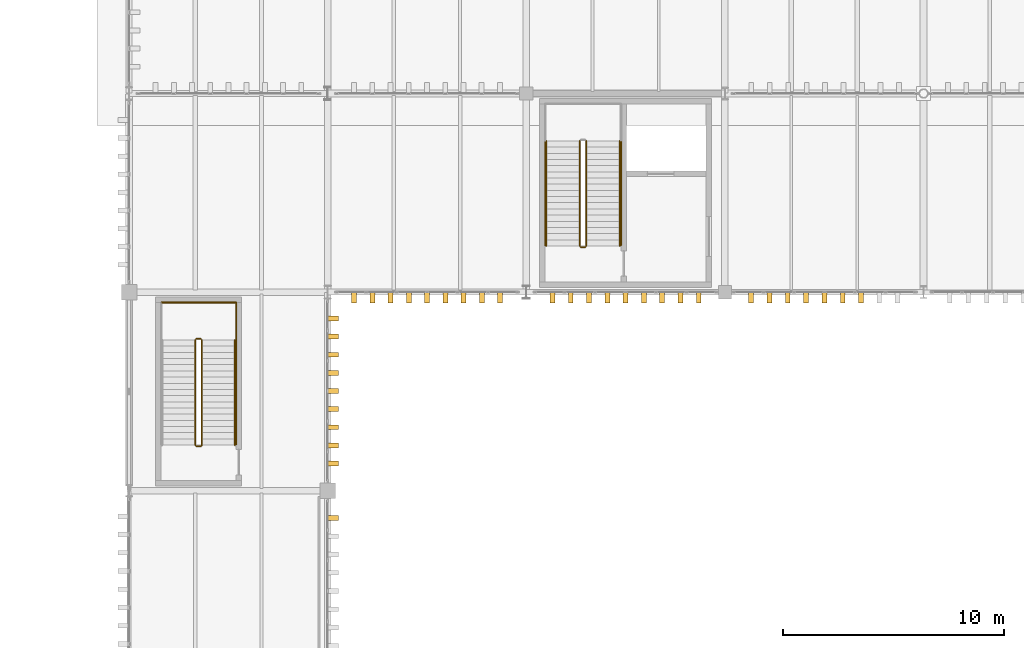
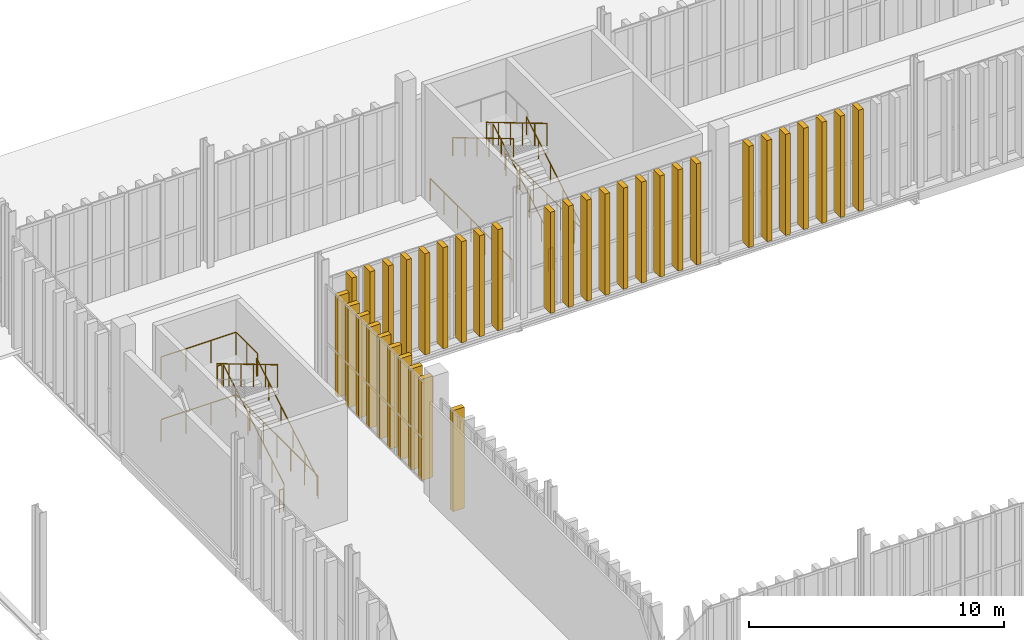
# One storey, part 229 of 237: 35 shading devices, 16 railings.
"""IFC4 building model written with IfcOpenShell, lengths in metres."""

from ifc_helpers import new_model, si_unit, direction, frame, origin, origin_2d, place, context, subcontext, project, spatial, rectangle, circle, extrude, material, type_object, element, save


model = new_model("IFC4")

# Units and contexts
model_context = context("Model", 3, precision=1e-05, world=origin(), true_north=direction((0.0, 1.0)))
body_context = subcontext(model_context, "Body", "Model", "MODEL_VIEW")
ifc_project = project(units=[si_unit("LENGTHUNIT", "METRE"), si_unit("AREAUNIT", "SQUARE_METRE"), si_unit("VOLUMEUNIT", "CUBIC_METRE"), si_unit("PLANEANGLEUNIT", "RADIAN"), si_unit("MASSUNIT", "GRAM", prefix="KILO")], contexts=[model_context])

# Site, building, storey
site_placement = place(None, origin())
site = spatial("IfcSite", under=ifc_project, at=site_placement, CompositionType="ELEMENT")
building_placement = place(site_placement, origin())
building = spatial("IfcBuilding", under=site, at=building_placement, Name="Barlavento Convention Centre", CompositionType="ELEMENT")
storey_placement = place(building_placement, frame((0.0, 0.0, 12.0)))
storey = spatial("IfcBuildingStorey", under=building, at=storey_placement, Name="L02", CompositionType="ELEMENT", Elevation=12.0)

# Railings
ifc_material_1 = material(Name="Stainless steel and laminated glass balustrade", Category="steel")
railing_type_1 = type_object("IfcRailingType", Name="ARC-RAL-BAL-1100", PredefinedType="BALUSTRADE", material=ifc_material_1)
railing_1_placement = place(storey_placement, frame((146.719970703125, 92.090087890625, 0.166748046875)))
element("IfcRailing", 1, at=railing_1_placement, inside=storey, type_object=railing_type_1, Name="L02 ST09 stair guard 1", PredefinedType="BALUSTRADE", context=body_context, shape_type="SweptSolid", body=[
    extrude(circle(Radius=0.02392578125, at=origin_2d()), frame((0.0, 0.0, 1.076171875), z_axis=(0.0, 0.859299802514, 0.511472237174), x_axis=(-1.0, 0.0, 0.0)), (0.0, 0.0, 1.0), 5.539306640625),
    extrude(circle(Radius=0.02099609375, at=origin_2d()), origin(), (0.0, 0.0, 1.0), 1.052001953125),
    extrude(circle(Radius=0.02099609375, at=origin_2d()), frame((0.0, 0.951904296875, 0.566650390625)), (0.0, 0.0, 1.0), 1.052001953125),
    extrude(circle(Radius=0.02099609375, at=origin_2d()), frame((0.0, 1.904052734375, 1.13330078125)), (0.0, 0.0, 1.0), 1.052001953125),
    extrude(circle(Radius=0.02099609375, at=origin_2d()), frame((0.0, 2.85595703125, 1.699951171875)), (0.0, 0.0, 1.0), 1.052001953125),
    extrude(circle(Radius=0.02099609375, at=origin_2d()), frame((0.0, 3.80810546875, 2.2666015625)), (0.0, 0.0, 1.0), 1.052001953125),
    extrude(circle(Radius=0.02099609375, at=origin_2d()), frame((0.0, 4.760009765625, 2.833251953125)), (0.0, 0.0, 1.0), 1.052001953125),
])
railing_2_placement = place(storey_placement, frame((146.419921875, 96.85009765625, 3.166748046875)))
element("IfcRailing", 2, at=railing_2_placement, inside=storey, type_object=railing_type_1, Name="L02 ST09 stair guard 3", PredefinedType="BALUSTRADE", context=body_context, shape_type="SweptSolid", body=[
    extrude(circle(Radius=0.02392578125, at=origin_2d()), frame((0.0, 0.0, 1.076171875), z_axis=(0.0, -0.859299802514, 0.511472237174), x_axis=(1.0, 0.0, 0.0)), (0.0, 0.0, 1.0), 5.539306640625),
    extrude(circle(Radius=0.02099609375, at=origin_2d()), origin(), (0.0, 0.0, 1.0), 1.052001953125),
    extrude(circle(Radius=0.02099609375, at=origin_2d()), frame((0.0, -0.951904296875, 0.566650390625)), (0.0, 0.0, 1.0), 1.052001953125),
    extrude(circle(Radius=0.02099609375, at=origin_2d()), frame((0.0, -1.904052734375, 1.13330078125)), (0.0, 0.0, 1.0), 1.052001953125),
    extrude(circle(Radius=0.02099609375, at=origin_2d()), frame((0.0, -2.85595703125, 1.699951171875)), (0.0, 0.0, 1.0), 1.052001953125),
    extrude(circle(Radius=0.02099609375, at=origin_2d()), frame((0.0, -3.80810546875, 2.2666015625)), (0.0, 0.0, 1.0), 1.052001953125),
    extrude(circle(Radius=0.02099609375, at=origin_2d()), frame((0.0, -4.760009765625, 2.833251953125)), (0.0, 0.0, 1.0), 1.052001953125),
])
railing_3_placement = place(storey_placement, frame((146.669921875, 92.0400390625, 0.0)))
element("IfcRailing", 3, at=railing_3_placement, inside=storey, type_object=railing_type_1, Name="L02 ST09 stair guard 4", PredefinedType="BALUSTRADE", context=body_context, shape_type="SweptSolid", body=[
    extrude(circle(Radius=0.02392578125, at=origin_2d()), frame((0.0, 0.0, 1.076171875), z_axis=(-1.0, 0.0, 0.0), x_axis=(0.0, -1.0, 0.0)), (0.0, 0.0, 1.0), 0.199951171875),
    extrude(circle(Radius=0.02099609375, at=origin_2d()), origin(), (0.0, 0.0, 1.0), 1.052001953125),
    extrude(circle(Radius=0.02099609375, at=origin_2d()), frame((-0.199951171875, 0.0, 0.0)), (0.0, 0.0, 1.0), 1.052001953125),
])
railing_4_placement = place(storey_placement, frame((148.2900390625, 92.114990234375, 0.0)))
element("IfcRailing", 4, at=railing_4_placement, inside=storey, type_object=railing_type_1, Name="L02 stairwell perimeter guard GR01", PredefinedType="BALUSTRADE", context=body_context, shape_type="SweptSolid", body=[
    extrude(circle(Radius=0.02392578125, at=origin_2d()), frame((0.0, 0.0, 1.076171875), z_axis=(0.0, 1.0, 0.0), x_axis=(-1.0, 0.0, 0.0)), (0.0, 0.0, 1.0), 6.4150390625),
    extrude(circle(Radius=0.02099609375, at=origin_2d()), origin(), (0.0, 0.0, 1.0), 1.052001953125),
    extrude(circle(Radius=0.02099609375, at=origin_2d()), frame((0.0, 1.069091796875, 0.0)), (0.0, 0.0, 1.0), 1.052001953125),
    extrude(circle(Radius=0.02099609375, at=origin_2d()), frame((0.0, 2.138427734375, 0.0)), (0.0, 0.0, 1.0), 1.052001953125),
    extrude(circle(Radius=0.02099609375, at=origin_2d()), frame((0.0, 3.20751953125, 0.0)), (0.0, 0.0, 1.0), 1.052001953125),
    extrude(circle(Radius=0.02099609375, at=origin_2d()), frame((0.0, 4.276611328125, 0.0)), (0.0, 0.0, 1.0), 1.052001953125),
    extrude(circle(Radius=0.02099609375, at=origin_2d()), frame((0.0, 5.345947265625, 0.0)), (0.0, 0.0, 1.0), 1.052001953125),
    extrude(circle(Radius=0.02099609375, at=origin_2d()), frame((0.0, 6.4150390625, 0.0)), (0.0, 0.0, 1.0), 1.052001953125),
])
railing_5_placement = place(storey_placement, frame((144.85009765625, 98.530029296875, 0.0)))
element("IfcRailing", 5, at=railing_5_placement, inside=storey, type_object=railing_type_1, Name="L02 stairwell perimeter guard GR01", PredefinedType="BALUSTRADE", context=body_context, shape_type="SweptSolid", body=[
    extrude(circle(Radius=0.02392578125, at=origin_2d()), frame((0.0, 0.0, 1.076171875), z_axis=(0.0, -1.0, 0.0), x_axis=(1.0, 0.0, 0.0)), (0.0, 0.0, 1.0), 6.4150390625),
    extrude(circle(Radius=0.02099609375, at=origin_2d()), origin(), (0.0, 0.0, 1.0), 1.052001953125),
    extrude(circle(Radius=0.02099609375, at=origin_2d()), frame((0.0, -1.069091796875, 0.0)), (0.0, 0.0, 1.0), 1.052001953125),
    extrude(circle(Radius=0.02099609375, at=origin_2d()), frame((0.0, -2.138427734375, 0.0)), (0.0, 0.0, 1.0), 1.052001953125),
    extrude(circle(Radius=0.02099609375, at=origin_2d()), frame((0.0, -3.20751953125, 0.0)), (0.0, 0.0, 1.0), 1.052001953125),
    extrude(circle(Radius=0.02099609375, at=origin_2d()), frame((0.0, -4.276611328125, 0.0)), (0.0, 0.0, 1.0), 1.052001953125),
    extrude(circle(Radius=0.02099609375, at=origin_2d()), frame((0.0, -5.345947265625, 0.0)), (0.0, 0.0, 1.0), 1.052001953125),
    extrude(circle(Radius=0.02099609375, at=origin_2d()), frame((0.0, -6.4150390625, 0.0)), (0.0, 0.0, 1.0), 1.052001953125),
])
railing_6_placement = place(storey_placement, frame((129.300048828125, 83.070068359375, 0.166748046875)))
element("IfcRailing", 6, at=railing_6_placement, inside=storey, type_object=railing_type_1, Name="L02 ST12 stair guard 1", PredefinedType="BALUSTRADE", context=body_context, shape_type="SweptSolid", body=[
    extrude(circle(Radius=0.02392578125, at=origin_2d()), frame((0.0, 0.0, 1.076171875), z_axis=(0.0, 0.859299802514, 0.511472237174), x_axis=(-1.0, 0.0, 0.0)), (0.0, 0.0, 1.0), 5.539306640625),
    extrude(circle(Radius=0.02099609375, at=origin_2d()), origin(), (0.0, 0.0, 1.0), 1.052001953125),
    extrude(circle(Radius=0.02099609375, at=origin_2d()), frame((0.0, 0.951904296875, 0.566650390625)), (0.0, 0.0, 1.0), 1.052001953125),
    extrude(circle(Radius=0.02099609375, at=origin_2d()), frame((0.0, 1.904052734375, 1.13330078125)), (0.0, 0.0, 1.0), 1.052001953125),
    extrude(circle(Radius=0.02099609375, at=origin_2d()), frame((0.0, 2.85595703125, 1.699951171875)), (0.0, 0.0, 1.0), 1.052001953125),
    extrude(circle(Radius=0.02099609375, at=origin_2d()), frame((0.0, 3.80810546875, 2.2666015625)), (0.0, 0.0, 1.0), 1.052001953125),
    extrude(circle(Radius=0.02099609375, at=origin_2d()), frame((0.0, 4.760009765625, 2.833251953125)), (0.0, 0.0, 1.0), 1.052001953125),
])
railing_7_placement = place(storey_placement, frame((129.25, 87.8798828125, 3.0)))
element("IfcRailing", 7, at=railing_7_placement, inside=storey, type_object=railing_type_1, Name="L02 ST12 stair guard 2", PredefinedType="BALUSTRADE", context=body_context, shape_type="SweptSolid", body=[
    extrude(circle(Radius=0.02392578125, at=origin_2d()), frame((0.0, 0.0, 1.076171875), z_axis=(-1.0, 0.0, 0.0), x_axis=(0.0, -1.0, 0.0)), (0.0, 0.0, 1.0), 0.199951171875),
    extrude(circle(Radius=0.02099609375, at=origin_2d()), origin(), (0.0, 0.0, 1.0), 1.052001953125),
    extrude(circle(Radius=0.02099609375, at=origin_2d()), frame((-0.199951171875, 0.0, 0.0)), (0.0, 0.0, 1.0), 1.052001953125),
])
railing_8_placement = place(storey_placement, frame((129.0, 87.830078125, 3.166748046875)))
element("IfcRailing", 8, at=railing_8_placement, inside=storey, type_object=railing_type_1, Name="L02 ST12 stair guard 3", PredefinedType="BALUSTRADE", context=body_context, shape_type="SweptSolid", body=[
    extrude(circle(Radius=0.02392578125, at=origin_2d()), frame((0.0, 0.0, 1.076171875), z_axis=(0.0, -0.859299802514, 0.511472237174), x_axis=(1.0, 0.0, 0.0)), (0.0, 0.0, 1.0), 5.539306640625),
    extrude(circle(Radius=0.02099609375, at=origin_2d()), origin(), (0.0, 0.0, 1.0), 1.052001953125),
    extrude(circle(Radius=0.02099609375, at=origin_2d()), frame((0.0, -0.951904296875, 0.566650390625)), (0.0, 0.0, 1.0), 1.052001953125),
    extrude(circle(Radius=0.02099609375, at=origin_2d()), frame((0.0, -1.904052734375, 1.13330078125)), (0.0, 0.0, 1.0), 1.052001953125),
    extrude(circle(Radius=0.02099609375, at=origin_2d()), frame((0.0, -2.85595703125, 1.699951171875)), (0.0, 0.0, 1.0), 1.052001953125),
    extrude(circle(Radius=0.02099609375, at=origin_2d()), frame((0.0, -3.80810546875, 2.2666015625)), (0.0, 0.0, 1.0), 1.052001953125),
    extrude(circle(Radius=0.02099609375, at=origin_2d()), frame((0.0, -4.760009765625, 2.833251953125)), (0.0, 0.0, 1.0), 1.052001953125),
])
railing_9_placement = place(storey_placement, frame((129.25, 83.02001953125, 0.0)))
element("IfcRailing", 9, at=railing_9_placement, inside=storey, type_object=railing_type_1, Name="L02 ST12 stair guard 4", PredefinedType="BALUSTRADE", context=body_context, shape_type="SweptSolid", body=[
    extrude(circle(Radius=0.02392578125, at=origin_2d()), frame((0.0, 0.0, 1.076171875), z_axis=(-1.0, 0.0, 0.0), x_axis=(0.0, -1.0, 0.0)), (0.0, 0.0, 1.0), 0.199951171875),
    extrude(circle(Radius=0.02099609375, at=origin_2d()), origin(), (0.0, 0.0, 1.0), 1.052001953125),
    extrude(circle(Radius=0.02099609375, at=origin_2d()), frame((-0.199951171875, 0.0, 0.0)), (0.0, 0.0, 1.0), 1.052001953125),
])
railing_10_placement = place(storey_placement, frame((130.85009765625, 87.830078125, 3.0)))
element("IfcRailing", 10, at=railing_10_placement, inside=storey, type_object=railing_type_1, Name="L02 landing guard GR01", PredefinedType="BALUSTRADE", context=body_context, shape_type="SweptSolid", body=[
    extrude(circle(Radius=0.02392578125, at=origin_2d()), frame((0.0, 0.0, 1.076171875), z_axis=(0.0, 1.0, 0.0), x_axis=(-1.0, 0.0, 0.0)), (0.0, 0.0, 1.0), 1.699951171875),
    extrude(circle(Radius=0.02099609375, at=origin_2d()), origin(), (0.0, 0.0, 1.0), 1.052001953125),
    extrude(circle(Radius=0.02099609375, at=origin_2d()), frame((0.0, 0.85009765625, 0.0)), (0.0, 0.0, 1.0), 1.052001953125),
    extrude(circle(Radius=0.02099609375, at=origin_2d()), frame((0.0, 1.699951171875, 0.0)), (0.0, 0.0, 1.0), 1.052001953125),
])
railing_11_placement = place(storey_placement, frame((130.85009765625, 89.530029296875, 3.0)))
element("IfcRailing", 11, at=railing_11_placement, inside=storey, type_object=railing_type_1, Name="L02 landing guard GR01", PredefinedType="BALUSTRADE", context=body_context, shape_type="SweptSolid", body=[
    extrude(circle(Radius=0.02392578125, at=origin_2d()), frame((0.0, 0.0, 1.076171875), z_axis=(-1.0, 0.0, 0.0), x_axis=(0.0, -1.0, 0.0)), (0.0, 0.0, 1.0), 3.400146484375),
    extrude(circle(Radius=0.02099609375, at=origin_2d()), origin(), (0.0, 0.0, 1.0), 1.052001953125),
    extrude(circle(Radius=0.02099609375, at=origin_2d()), frame((-1.13330078125, 0.0, 0.0)), (0.0, 0.0, 1.0), 1.052001953125),
    extrude(circle(Radius=0.02099609375, at=origin_2d()), frame((-2.266845703125, 0.0, 0.0)), (0.0, 0.0, 1.0), 1.052001953125),
    extrude(circle(Radius=0.02099609375, at=origin_2d()), frame((-3.400146484375, 0.0, 0.0)), (0.0, 0.0, 1.0), 1.052001953125),
])
railing_12_placement = place(storey_placement, frame((130.85009765625, 83.094970703125, 0.0)))
element("IfcRailing", 12, at=railing_12_placement, inside=storey, type_object=railing_type_1, Name="L02 stairwell perimeter guard GR01", PredefinedType="BALUSTRADE", context=body_context, shape_type="SweptSolid", body=[
    extrude(circle(Radius=0.02392578125, at=origin_2d()), frame((0.0, 0.0, 1.076171875), z_axis=(0.0, 1.0, 0.0), x_axis=(-1.0, 0.0, 0.0)), (0.0, 0.0, 1.0), 6.43505859375),
    extrude(circle(Radius=0.02099609375, at=origin_2d()), origin(), (0.0, 0.0, 1.0), 1.052001953125),
    extrude(circle(Radius=0.02099609375, at=origin_2d()), frame((0.0, 1.072509765625, 0.0)), (0.0, 0.0, 1.0), 1.052001953125),
    extrude(circle(Radius=0.02099609375, at=origin_2d()), frame((0.0, 2.14501953125, 0.0)), (0.0, 0.0, 1.0), 1.052001953125),
    extrude(circle(Radius=0.02099609375, at=origin_2d()), frame((0.0, 3.217529296875, 0.0)), (0.0, 0.0, 1.0), 1.052001953125),
    extrude(circle(Radius=0.02099609375, at=origin_2d()), frame((0.0, 4.2900390625, 0.0)), (0.0, 0.0, 1.0), 1.052001953125),
    extrude(circle(Radius=0.02099609375, at=origin_2d()), frame((0.0, 5.362548828125, 0.0)), (0.0, 0.0, 1.0), 1.052001953125),
    extrude(circle(Radius=0.02099609375, at=origin_2d()), frame((0.0, 6.43505859375, 0.0)), (0.0, 0.0, 1.0), 1.052001953125),
])
railing_13_placement = place(storey_placement, frame((130.85009765625, 89.530029296875, 0.0)))
element("IfcRailing", 13, at=railing_13_placement, inside=storey, type_object=railing_type_1, Name="L02 stairwell perimeter guard GR01", PredefinedType="BALUSTRADE", context=body_context, shape_type="SweptSolid", body=[
    extrude(circle(Radius=0.02392578125, at=origin_2d()), frame((0.0, 0.0, 1.076171875), z_axis=(-1.0, 0.0, 0.0), x_axis=(0.0, -1.0, 0.0)), (0.0, 0.0, 1.0), 3.400146484375),
    extrude(circle(Radius=0.02099609375, at=origin_2d()), origin(), (0.0, 0.0, 1.0), 1.052001953125),
    extrude(circle(Radius=0.02099609375, at=origin_2d()), frame((-1.13330078125, 0.0, 0.0)), (0.0, 0.0, 1.0), 1.052001953125),
    extrude(circle(Radius=0.02099609375, at=origin_2d()), frame((-2.266845703125, 0.0, 0.0)), (0.0, 0.0, 1.0), 1.052001953125),
    extrude(circle(Radius=0.02099609375, at=origin_2d()), frame((-3.400146484375, 0.0, 0.0)), (0.0, 0.0, 1.0), 1.052001953125),
])
ifc_material_2 = material(Name="Brushed stainless steel tubular handrail", Category="steel")
railing_type_2 = type_object("IfcRailingType", Name="ARC-RAL-HR-900", PredefinedType="HANDRAIL", material=ifc_material_2)
railing_14_placement = place(storey_placement, frame((148.239990234375, 92.090087890625, 0.166748046875)))
element("IfcRailing", 14, at=railing_14_placement, inside=storey, type_object=railing_type_2, Name="L02 ST09 stair handrail 1", PredefinedType="HANDRAIL", context=body_context, shape_type="SweptSolid", body=[
    extrude(circle(Radius=0.02392578125, at=origin_2d()), frame((0.0, 0.0, 0.8759765625), z_axis=(0.0, 0.859299802514, 0.511472237174), x_axis=(-1.0, 0.0, 0.0)), (0.0, 0.0, 1.0), 5.539306640625),
    extrude(circle(Radius=0.02099609375, at=origin_2d()), origin(), (0.0, 0.0, 1.0), 0.851806640625),
    extrude(circle(Radius=0.02099609375, at=origin_2d()), frame((0.0, 0.951904296875, 0.566650390625)), (0.0, 0.0, 1.0), 0.851806640625),
    extrude(circle(Radius=0.02099609375, at=origin_2d()), frame((0.0, 1.904052734375, 1.13330078125)), (0.0, 0.0, 1.0), 0.851806640625),
    extrude(circle(Radius=0.02099609375, at=origin_2d()), frame((0.0, 2.85595703125, 1.699951171875)), (0.0, 0.0, 1.0), 0.851806640625),
    extrude(circle(Radius=0.02099609375, at=origin_2d()), frame((0.0, 3.80810546875, 2.2666015625)), (0.0, 0.0, 1.0), 0.851806640625),
    extrude(circle(Radius=0.02099609375, at=origin_2d()), frame((0.0, 4.760009765625, 2.833251953125)), (0.0, 0.0, 1.0), 0.851806640625),
])
railing_15_placement = place(storey_placement, frame((144.89990234375, 96.85009765625, 3.166748046875)))
element("IfcRailing", 15, at=railing_15_placement, inside=storey, type_object=railing_type_2, Name="L02 ST09 stair handrail 2", PredefinedType="HANDRAIL", context=body_context, shape_type="SweptSolid", body=[
    extrude(circle(Radius=0.02392578125, at=origin_2d()), frame((0.0, 0.0, 0.8759765625), z_axis=(0.0, -0.859299802514, 0.511472237174), x_axis=(1.0, 0.0, 0.0)), (0.0, 0.0, 1.0), 5.539306640625),
    extrude(circle(Radius=0.02099609375, at=origin_2d()), origin(), (0.0, 0.0, 1.0), 0.851806640625),
    extrude(circle(Radius=0.02099609375, at=origin_2d()), frame((0.0, -0.951904296875, 0.566650390625)), (0.0, 0.0, 1.0), 0.851806640625),
    extrude(circle(Radius=0.02099609375, at=origin_2d()), frame((0.0, -1.904052734375, 1.13330078125)), (0.0, 0.0, 1.0), 0.851806640625),
    extrude(circle(Radius=0.02099609375, at=origin_2d()), frame((0.0, -2.85595703125, 1.699951171875)), (0.0, 0.0, 1.0), 0.851806640625),
    extrude(circle(Radius=0.02099609375, at=origin_2d()), frame((0.0, -3.80810546875, 2.2666015625)), (0.0, 0.0, 1.0), 0.851806640625),
    extrude(circle(Radius=0.02099609375, at=origin_2d()), frame((0.0, -4.760009765625, 2.833251953125)), (0.0, 0.0, 1.0), 0.851806640625),
])
railing_16_placement = place(storey_placement, frame((130.800048828125, 83.070068359375, 0.166748046875)))
element("IfcRailing", 16, at=railing_16_placement, inside=storey, type_object=railing_type_2, Name="L02 ST12 stair handrail 1", PredefinedType="HANDRAIL", context=body_context, shape_type="SweptSolid", body=[
    extrude(circle(Radius=0.02392578125, at=origin_2d()), frame((0.0, 0.0, 0.8759765625), z_axis=(0.0, 0.859299802514, 0.511472237174), x_axis=(-1.0, 0.0, 0.0)), (0.0, 0.0, 1.0), 5.539306640625),
    extrude(circle(Radius=0.02099609375, at=origin_2d()), origin(), (0.0, 0.0, 1.0), 0.851806640625),
    extrude(circle(Radius=0.02099609375, at=origin_2d()), frame((0.0, 0.951904296875, 0.566650390625)), (0.0, 0.0, 1.0), 0.851806640625),
    extrude(circle(Radius=0.02099609375, at=origin_2d()), frame((0.0, 1.904052734375, 1.13330078125)), (0.0, 0.0, 1.0), 0.851806640625),
    extrude(circle(Radius=0.02099609375, at=origin_2d()), frame((0.0, 2.85595703125, 1.699951171875)), (0.0, 0.0, 1.0), 0.851806640625),
    extrude(circle(Radius=0.02099609375, at=origin_2d()), frame((0.0, 3.80810546875, 2.2666015625)), (0.0, 0.0, 1.0), 0.851806640625),
    extrude(circle(Radius=0.02099609375, at=origin_2d()), frame((0.0, 4.760009765625, 2.833251953125)), (0.0, 0.0, 1.0), 0.851806640625),
])

# Shading devices
ifc_material_3 = material(Name="PVDF white extruded aluminium", Category="aluminium")
shading_device_type = type_object("IfcShadingDeviceType", Name="ARC-SHD-FIN-480", PredefinedType="USERDEFINED", material=ifc_material_3)
for number, where, z_axis, x_axis, name in (
    (17, (136.197021484375, 89.760009765625, 0.0), (0.0, 0.0, 1.0), (1.0, 0.0, 0.0), "White vertical solar shading fin VF01"),
    (18, (137.02392578125, 89.760009765625, 0.0), (0.0, 0.0, 1.0), (1.0, 0.0, 0.0), "White vertical solar shading fin VF01"),
    (19, (137.85107421875, 89.760009765625, 0.0), (0.0, 0.0, 1.0), (1.0, 0.0, 0.0), "White vertical solar shading fin VF01"),
    (20, (138.677978515625, 89.760009765625, 0.0), (0.0, 0.0, 1.0), (1.0, 0.0, 0.0), "White vertical solar shading fin VF01"),
    (21, (139.5048828125, 89.760009765625, 0.0), (0.0, 0.0, 1.0), (1.0, 0.0, 0.0), "White vertical solar shading fin VF01"),
    (22, (140.33203125, 89.760009765625, 0.0), (0.0, 0.0, 1.0), (1.0, 0.0, 0.0), "White vertical solar shading fin VF01"),
    (23, (141.158935546875, 89.760009765625, 0.0), (0.0, 0.0, 1.0), (1.0, 0.0, 0.0), "White vertical solar shading fin VF01"),
    (24, (141.986083984375, 89.760009765625, 0.0), (0.0, 0.0, 1.0), (1.0, 0.0, 0.0), "White vertical solar shading fin VF01"),
    (25, (142.81298828125, 89.760009765625, 0.0), (0.0, 0.0, 1.0), (1.0, 0.0, 0.0), "White vertical solar shading fin VF01"),
    (26, (145.18798828125, 89.760009765625, 0.0), (0.0, 0.0, 1.0), (1.0, 0.0, 0.0), "White vertical solar shading fin VF01"),
    (27, (146.01611328125, 89.760009765625, 0.0), (0.0, 0.0, 1.0), (1.0, 0.0, 0.0), "White vertical solar shading fin VF01"),
    (28, (146.843994140625, 89.760009765625, 0.0), (0.0, 0.0, 1.0), (1.0, 0.0, 0.0), "White vertical solar shading fin VF01"),
    (29, (147.672119140625, 89.760009765625, 0.0), (0.0, 0.0, 1.0), (1.0, 0.0, 0.0), "White vertical solar shading fin VF01"),
    (30, (148.5, 89.760009765625, 0.0), (0.0, 0.0, 1.0), (1.0, 0.0, 0.0), "White vertical solar shading fin VF01"),
    (31, (149.327880859375, 89.760009765625, 0.0), (0.0, 0.0, 1.0), (1.0, 0.0, 0.0), "White vertical solar shading fin VF01"),
    (32, (150.156005859375, 89.760009765625, 0.0), (0.0, 0.0, 1.0), (1.0, 0.0, 0.0), "White vertical solar shading fin VF01"),
    (33, (150.98388671875, 89.760009765625, 0.0), (0.0, 0.0, 1.0), (1.0, 0.0, 0.0), "White vertical solar shading fin VF01"),
    (34, (151.81201171875, 89.760009765625, 0.0), (0.0, 0.0, 1.0), (1.0, 0.0, 0.0), "White vertical solar shading fin VF01"),
    (35, (154.189453125, 89.760009765625, 0.0), (0.0, 0.0, 1.0), (1.0, 0.0, 0.0), "White vertical solar shading fin VF01"),
    (36, (155.018798828125, 89.760009765625, 0.0), (0.0, 0.0, 1.0), (1.0, 0.0, 0.0), "White vertical solar shading fin VF01"),
    (37, (155.84814453125, 89.760009765625, 0.0), (0.0, 0.0, 1.0), (1.0, 0.0, 0.0), "White vertical solar shading fin VF01"),
    (38, (156.677490234375, 89.760009765625, 0.0), (0.0, 0.0, 1.0), (1.0, 0.0, 0.0), "White vertical solar shading fin VF01"),
    (39, (157.507080078125, 89.760009765625, 0.0), (0.0, 0.0, 1.0), (1.0, 0.0, 0.0), "White vertical solar shading fin VF01"),
    (40, (158.33642578125, 89.760009765625, 0.0), (0.0, 0.0, 1.0), (1.0, 0.0, 0.0), "White vertical solar shading fin VF01"),
    (41, (159.165771484375, 89.760009765625, 0.0), (0.0, 0.0, 1.0), (1.0, 0.0, 0.0), "White vertical solar shading fin VF01"),
    (42, (135.239990234375, 79.76318359375, 0.0), (0.0, 0.0, 1.0), (0.0, 1.0, 0.0), "White vertical solar shading fin VF01"),
    (43, (135.239990234375, 82.23193359375, 0.0), (0.0, 0.0, 1.0), (0.0, 1.0, 0.0), "White vertical solar shading fin VF01"),
    (44, (135.239990234375, 83.053955078125, 0.0), (0.0, 0.0, 1.0), (0.0, 1.0, 0.0), "White vertical solar shading fin VF01"),
    (45, (135.239990234375, 83.8759765625, 0.0), (0.0, 0.0, 1.0), (0.0, 1.0, 0.0), "White vertical solar shading fin VF01"),
    (46, (135.239990234375, 84.697998046875, 0.0), (0.0, 0.0, 1.0), (0.0, 1.0, 0.0), "White vertical solar shading fin VF01"),
    (47, (135.239990234375, 85.52001953125, 0.0), (0.0, 0.0, 1.0), (0.0, 1.0, 0.0), "White vertical solar shading fin VF01"),
    (48, (135.239990234375, 86.342041015625, 0.0), (0.0, 0.0, 1.0), (0.0, 1.0, 0.0), "White vertical solar shading fin VF01"),
    (49, (135.239990234375, 87.1640625, 0.0), (0.0, 0.0, 1.0), (0.0, 1.0, 0.0), "White vertical solar shading fin VF01"),
    (50, (135.239990234375, 87.986083984375, 0.0), (0.0, 0.0, 1.0), (0.0, 1.0, 0.0), "White vertical solar shading fin VF01"),
    (51, (135.239990234375, 88.80810546875, 0.0), (0.0, 0.0, 1.0), (0.0, 1.0, 0.0), "White vertical solar shading fin VF01"),
):
    element("IfcShadingDevice", number, at=place(storey_placement, frame(where, z_axis=z_axis, x_axis=x_axis)), inside=storey, type_object=shading_device_type, Name=name, ObjectType="FIN", PredefinedType="USERDEFINED", context=body_context, shape_type="SweptSolid", body=[
        extrude(rectangle(XDim=0.219970703125, YDim=0.52001953125, at=origin_2d()), origin(), (0.0, 0.0, 1.0), 4.85009765625),
    ])

save(model, "model.ifc")
